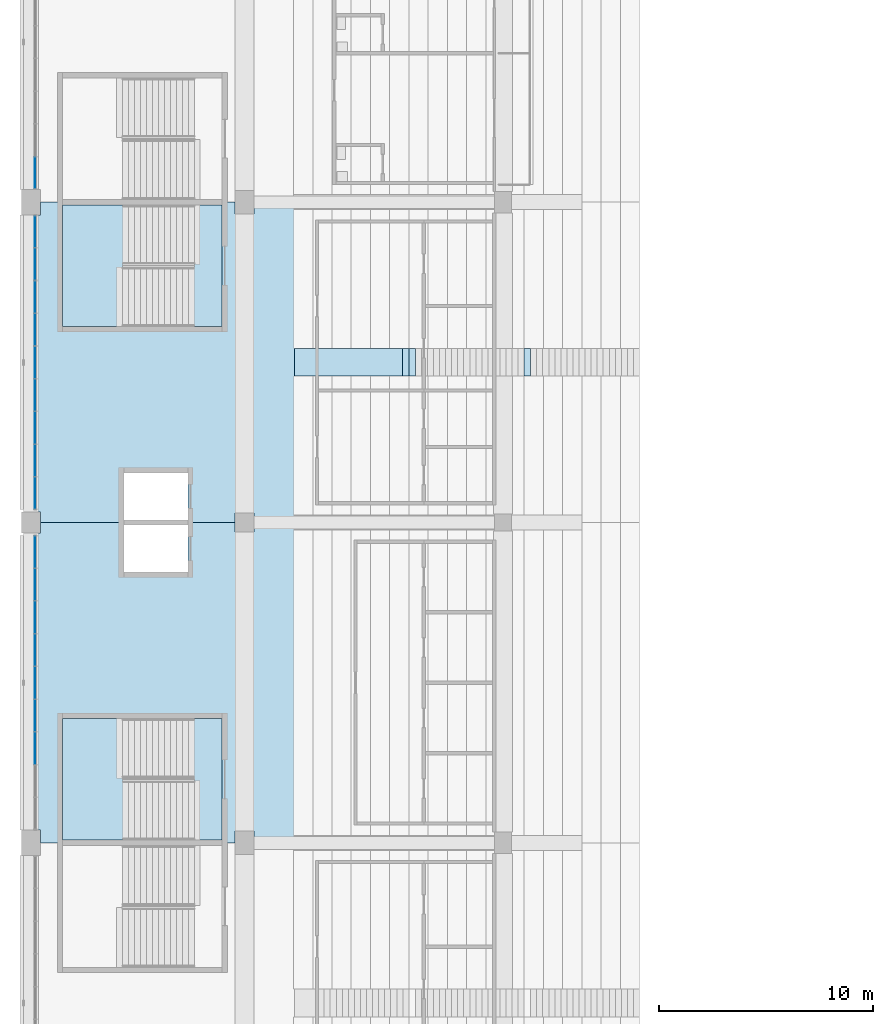
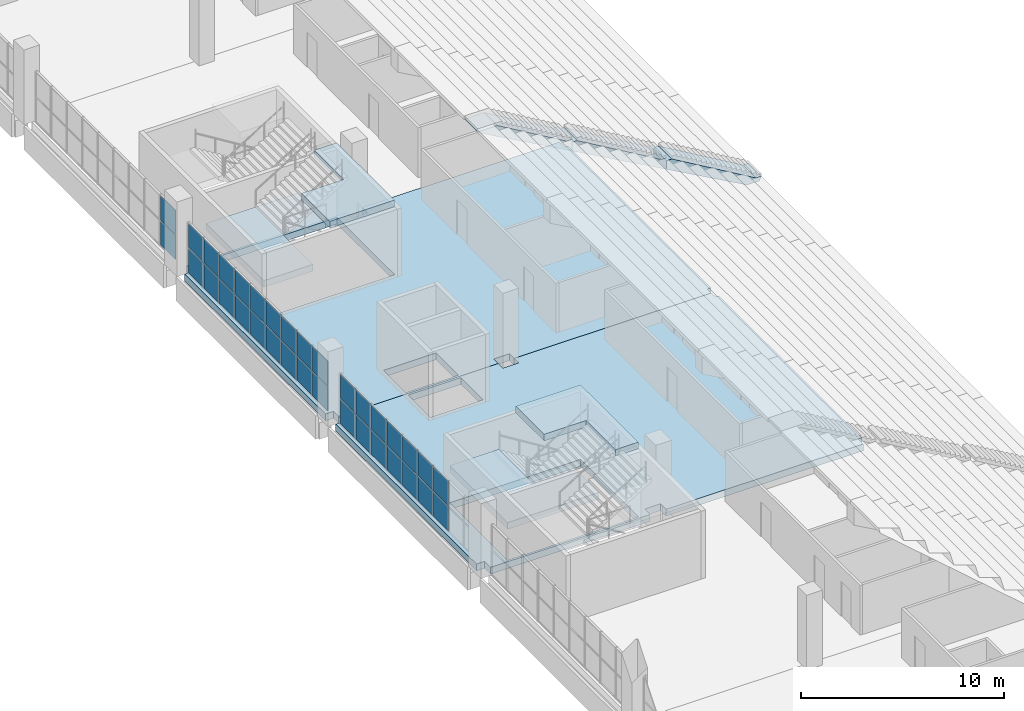
# One storey, part 69 of 249: 34 plates, 9 slabs, 5 elements without a shape of their own.
"""IFC4 building model written with IfcOpenShell, lengths in metres."""

import ifcopenshell
import ifcopenshell.guid

model = None  # the IFC model being written
_history = None  # IfcOwnerHistory: only IFC2X3 demands one
_inside = {}  # id of a spatial element -> (the spatial element, [elements in it])
_under = {}  # id of a project, library or spatial element -> (it, [spatial elements below it])
_declared = {}  # id of a project -> (the project, [libraries it declares])
_typed = {}  # id of a type object -> (the type object, [elements of that type])
_made_of = {}  # id of a material, layer set ... -> (it, [elements and type objects made of it])


def new_model(schema):
    """Start an empty IFC model of exactly this schema.

    Asked for "IFC4X3", IfcOpenShell would pick the latest addendum, in which some entities
    have other attributes; the version numbers below select the first issue.
    IFC2X3 requires an IfcOwnerHistory on every rooted entity: one is made here for all.
    """
    global model, _history
    if schema == "IFC4X3":
        model = ifcopenshell.file(schema_version=(4, 3, 0, 0))
    else:
        model = ifcopenshell.file(schema=schema)
    _inside.clear()
    _under.clear()
    _declared.clear()
    _typed.clear()
    _made_of.clear()
    _history = None
    if model.schema == "IFC2X3":
        org = make("IfcOrganization", Name="unknown")
        user = make(
            "IfcPersonAndOrganization",
            ThePerson=make("IfcPerson", FamilyName="unknown"),
            TheOrganization=org,
        )
        app = make(
            "IfcApplication",
            ApplicationDeveloper=org,
            Version="unknown",
            ApplicationFullName="unknown",
            ApplicationIdentifier="unknown",
        )
        _history = make(
            "IfcOwnerHistory",
            OwningUser=user,
            OwningApplication=app,
            ChangeAction="ADDED",
            CreationDate=0,
        )
    return model


def make(cls, **values):
    """One entity of the class cls with the attributes given. An attribute that is None is left unset."""
    return model.create_entity(
        cls, **{name: value for name, value in values.items() if value is not None}
    )


def rooted(cls, **values):
    """An entity with a GlobalId (a new one), such as an element, a storey or a relation."""
    return make(cls, GlobalId=ifcopenshell.guid.new(), OwnerHistory=_history, **values)


def si_unit(unit_type, name, prefix=None):
    """IfcSIUnit, for example si_unit("LENGTHUNIT", "METRE", prefix="MILLI")."""
    return make("IfcSIUnit", UnitType=unit_type, Prefix=prefix, Name=name)


def assignment(units):
    """IfcUnitAssignment: the units of a project."""
    return None if units is None else make("IfcUnitAssignment", Units=units)


def point(xyz):
    """IfcCartesianPoint."""
    return None if xyz is None else make("IfcCartesianPoint", Coordinates=xyz)


def direction(xyz):
    """IfcDirection."""
    return None if xyz is None else make("IfcDirection", DirectionRatios=xyz)


def frame(location, z_axis=None, x_axis=None):
    """IfcAxis2Placement3D, a coordinate frame: its origin and axes. An axis left out is left unset."""
    return make(
        "IfcAxis2Placement3D",
        Location=point(location),
        Axis=direction(z_axis),
        RefDirection=direction(x_axis),
    )


def frame_2d(location, x_axis=None):
    """IfcAxis2Placement2D, a coordinate frame in the plane: its origin and x axis."""
    return make(
        "IfcAxis2Placement2D", Location=point(location), RefDirection=direction(x_axis)
    )


def origin():
    """The frame at (0, 0, 0) with its axes left unset."""
    return frame((0.0, 0.0, 0.0))


def origin_2d():
    """The frame at (0, 0) in the plane with its x axis left unset."""
    return frame_2d((0.0, 0.0))


def place(relative_to, where):
    """IfcLocalPlacement: puts the frame where relative to a parent placement (None: the world)."""
    return make(
        "IfcLocalPlacement", PlacementRelTo=relative_to, RelativePlacement=where
    )


def context(
    kind, dimensions, precision=None, world=None, true_north=None, identifier=None
):
    """IfcGeometricRepresentationContext, for example the 3D "Model" context."""
    return make(
        "IfcGeometricRepresentationContext",
        ContextIdentifier=identifier,
        ContextType=kind,
        CoordinateSpaceDimension=dimensions,
        Precision=precision,
        WorldCoordinateSystem=world,
        TrueNorth=true_north,
    )


def subcontext(parent, identifier, kind, view, scale=None):
    """IfcGeometricRepresentationSubContext, for example "Body" below "Model"."""
    return make(
        "IfcGeometricRepresentationSubContext",
        ContextIdentifier=identifier,
        ContextType=kind,
        ParentContext=parent,
        TargetScale=scale,
        TargetView=view,
    )


def project(units=None, contexts=None):
    """IfcProject with its units and contexts."""
    return rooted(
        "IfcProject",
        Name="project",
        RepresentationContexts=contexts,
        UnitsInContext=assignment(units),
    )


def spatial(cls, under=None, at=None, **own):
    """A site, building, storey or space (cls), placed at a placement, below another one or the project."""
    s = rooted(cls, ObjectPlacement=at, **own)
    if under is not None:
        _under.setdefault(under.id(), (under, []))[1].append(s)
    return s


def polyline(points):
    """IfcPolyline through the points."""
    return make("IfcPolyline", Points=[point(p) for p in points])


def profile(cls, at=None, kind="AREA", **sizes):
    """A parametric profile (cls). Its sizes go by their IFC names, for example OverallWidth=200.0."""
    return make(cls, ProfileType=kind, Position=at, **sizes)


def rectangle(**sizes):
    """IfcRectangleProfileDef."""
    return profile("IfcRectangleProfileDef", **sizes)


def outline(outer, holes=None, kind="AREA"):
    """IfcArbitraryClosedProfileDef: a profile drawn as a closed curve; with holes, ...WithVoids."""
    if holes is None:
        return make("IfcArbitraryClosedProfileDef", ProfileType=kind, OuterCurve=outer)
    return make(
        "IfcArbitraryProfileDefWithVoids",
        ProfileType=kind,
        OuterCurve=outer,
        InnerCurves=holes,
    )


def extrude(swept, where, along, depth):
    """IfcExtrudedAreaSolid: the profile swept, set in the frame where, extruded along a direction by depth."""
    return make(
        "IfcExtrudedAreaSolid",
        SweptArea=swept,
        Position=where,
        ExtrudedDirection=direction(along),
        Depth=depth,
    )


def shape(context_of_items, identifier, shape_type, items):
    """IfcShapeRepresentation: the items that make up one representation, for example the "Body"."""
    return make(
        "IfcShapeRepresentation",
        ContextOfItems=context_of_items,
        RepresentationIdentifier=identifier,
        RepresentationType=shape_type,
        Items=items,
    )


def material(Name=None, Category=None):
    """IfcMaterial."""
    return make("IfcMaterial", Name=Name, Category=Category)


def layer(
    of_material, thickness, ventilated=None, Name=None, Category=None, Priority=None
):
    """IfcMaterialLayer: one layer of a wall or slab, of a material (None: an air gap)."""
    return make(
        "IfcMaterialLayer",
        Material=of_material,
        LayerThickness=thickness,
        IsVentilated=ventilated,
        Name=Name,
        Category=Category,
        Priority=Priority,
    )


def layer_set(layers, Name=None):
    """IfcMaterialLayerSet."""
    return make("IfcMaterialLayerSet", MaterialLayers=layers, LayerSetName=Name)


def made_of(thing, what):
    """Note that an element or type object is made of a material, layer set ...; save() writes the relation."""
    if what is not None:
        _made_of.setdefault(what.id(), (what, []))[1].append(thing)
    return thing


def type_object(cls, material=None, **own):
    """A type object (cls), such as IfcWallType, which elements share."""
    return made_of(rooted(cls, **own), material)


def element(
    cls,
    number,
    at=None,
    inside=None,
    cuts=None,
    type_object=None,
    material=None,
    context=None,
    identifier="Body",
    shape_type=None,
    held_by="IfcProductDefinitionShape",
    body=None,
    shapes=None,
    **own,
):
    """One element of the class cls, such as IfcWall. Its Tag is "e" and its number.

    at: its placement. inside: the storey or other place that contains it. cuts: it is an
    opening in that element (IfcRelVoidsElement). A single representation is given by context,
    identifier, shape_type and body (its items); several are given by shapes. held_by: the class
    of the entity that holds the representations. save() writes the other relations.
    """
    e = rooted(cls, Tag="e%d" % number, ObjectPlacement=at, **own)
    if body is not None:
        shapes = [shape(context, identifier, shape_type, body)]
    if shapes is not None:
        e.Representation = make(held_by, Representations=shapes)
    if inside is not None:
        _inside.setdefault(inside.id(), (inside, []))[1].append(e)
    if cuts is not None:
        rooted(
            "IfcRelVoidsElement", RelatingBuildingElement=cuts, RelatedOpeningElement=e
        )
    if type_object is not None:
        _typed.setdefault(type_object.id(), (type_object, []))[1].append(e)
    return made_of(e, material)


def aggregate(whole, parts):
    """IfcRelAggregates: a whole, such as a stair, and the parts it consists of."""
    return rooted("IfcRelAggregates", RelatingObject=whole, RelatedObjects=parts)


def save(model, path):
    """Write the relations noted so far, then the file.

    IfcRelAggregates (storeys below a building ...), IfcRelContainedInSpatialStructure (elements
    in a storey), IfcRelDefinesByType, IfcRelAssociatesMaterial and IfcRelDeclares: one each for
    every whole, place, type object, material and project.
    """
    for whole, parts in _under.values():
        aggregate(whole, parts)
    for where, things in _inside.values():
        rooted(
            "IfcRelContainedInSpatialStructure",
            RelatedElements=things,
            RelatingStructure=where,
        )
    for kind, things in _typed.values():
        rooted("IfcRelDefinesByType", RelatedObjects=things, RelatingType=kind)
    for what, things in _made_of.values():
        rooted("IfcRelAssociatesMaterial", RelatedObjects=things, RelatingMaterial=what)
    for by, libraries in _declared.values():
        rooted("IfcRelDeclares", RelatingContext=by, RelatedDefinitions=libraries)
    model.write(path)


model = new_model("IFC4")

# Units and contexts
model_context = context("Model", 3, precision=1e-05, world=origin(), true_north=direction((0.0, 1.0)))
body_context = subcontext(model_context, "Body", "Model", "MODEL_VIEW")
ifc_project = project(units=[si_unit("LENGTHUNIT", "METRE"), si_unit("AREAUNIT", "SQUARE_METRE"), si_unit("VOLUMEUNIT", "CUBIC_METRE"), si_unit("PLANEANGLEUNIT", "RADIAN"), si_unit("MASSUNIT", "GRAM", prefix="KILO")], contexts=[model_context])

# Site, building, storey
site_placement = place(None, origin())
site = spatial("IfcSite", under=ifc_project, at=site_placement, CompositionType="ELEMENT")
building_placement = place(site_placement, origin())
building = spatial("IfcBuilding", under=site, at=building_placement, Name="Ogive Plaza Stadium", CompositionType="ELEMENT")
storey_placement = place(building_placement, frame((0.0, 0.0, 13.5)))
storey = spatial("IfcBuildingStorey", under=building, at=storey_placement, Name="L03", CompositionType="ELEMENT", Elevation=13.5)

# Slabs
ifc_material_1 = material(Name="Concrete C40/50", Category="concrete")
ifc_layer_1 = layer(ifc_material_1, 0.73486328125)
ifc_layer_set_1 = layer_set([ifc_layer_1], Name="Concrete C40/50")
ifc_layer_2 = layer(ifc_material_1, 0.449951171875)
ifc_layer_set_2 = layer_set([ifc_layer_2], Name="Concrete C40/50")
slab_type_1 = type_object("IfcSlabType", Name="Aisle stair slab 1300", PredefinedType="USERDEFINED", material=ifc_layer_set_2)
slab_1_placement = place(storey_placement, frame((-55.5, 15.0, -13.5), z_axis=(0.0, 0.0, 1.0), x_axis=(-1.0, 0.0, 0.0)))
element("IfcSlab", 1, at=slab_1_placement, inside=storey, type_object=slab_type_1, material=ifc_layer_set_1, Name="Aisle stair SA25U slab 1", ObjectType="AISLE STAIR SLAB", PredefinedType="USERDEFINED", context=body_context, shape_type="SweptSolid", body=[
    extrude(outline(polyline([(0.0, 14.0), (0.2958984375, 14.0), (5.10009765625, 16.825927734375), (5.39990234375, 16.825927734375), (5.39990234375, 16.300048828125), (5.359375, 16.27734375), (5.209228515625, 16.194091796875), (5.059326171875, 16.110595703125), (4.9091796875, 16.02734375), (4.75927734375, 15.944091796875), (4.609375, 15.860595703125), (4.459228515625, 15.77734375), (4.309326171875, 15.694091796875), (4.1591796875, 15.610595703125), (4.00927734375, 15.52734375), (3.859375, 15.444091796875), (3.709228515625, 15.360595703125), (3.559326171875, 15.27734375), (3.4091796875, 15.194091796875), (3.25927734375, 15.110595703125), (3.109375, 15.02734375), (2.959228515625, 14.944091796875), (2.809326171875, 14.860595703125), (2.6591796875, 14.77734375), (2.50927734375, 14.694091796875), (2.359375, 14.610595703125), (2.209228515625, 14.52734375), (2.059326171875, 14.444091796875), (1.9091796875, 14.360595703125), (1.75927734375, 14.27734375), (1.609375, 14.194091796875), (1.459228515625, 14.110595703125), (1.309326171875, 14.02734375), (1.1591796875, 13.944091796875), (1.00927734375, 13.860595703125), (0.859375, 13.77734375), (0.709228515625, 13.75), (0.559326171875, 13.75), (0.4091796875, 13.75), (0.25927734375, 13.75), (0.109375, 13.75), (0.0, 14.0)])), frame((0.0, 0.64990234375, 0.0), z_axis=(0.0, -1.0, 0.0), x_axis=(1.0, 0.0, 0.0)), (0.0, 0.0, 1.0), 1.300048828125),
])
ifc_layer_3 = layer(ifc_material_1, 0.75927734375)
ifc_layer_set_3 = layer_set([ifc_layer_3], Name="Concrete C40/50")
slab_2_placement = place(storey_placement, frame((-60.89990234375, 15.0, -13.5), z_axis=(0.0, 0.0, 1.0), x_axis=(-1.0, 0.0, 0.0)))
element("IfcSlab", 2, at=slab_2_placement, inside=storey, type_object=slab_type_1, material=ifc_layer_set_3, Name="Aisle stair SA25U slab 2", ObjectType="AISLE STAIR SLAB", PredefinedType="USERDEFINED", context=body_context, shape_type="SweptSolid", body=[
    extrude(outline(polyline([(0.0, 17.0), (0.2958984375, 17.0), (5.10009765625, 19.825927734375), (5.39990234375, 19.825927734375), (5.39990234375, 19.300048828125), (5.25, 19.216796875), (5.10009765625, 19.13330078125), (4.949951171875, 19.050048828125), (4.800048828125, 18.966796875), (4.64990234375, 18.88330078125), (4.5, 18.800048828125), (4.35009765625, 18.716796875), (4.199951171875, 18.63330078125), (4.050048828125, 18.550048828125), (3.89990234375, 18.466796875), (3.75, 18.38330078125), (3.60009765625, 18.300048828125), (3.449951171875, 18.216796875), (3.300048828125, 18.13330078125), (3.14990234375, 18.050048828125), (3.0, 17.966796875), (2.85009765625, 17.88330078125), (2.699951171875, 17.800048828125), (2.550048828125, 17.716796875), (2.39990234375, 17.63330078125), (2.25, 17.550048828125), (2.10009765625, 17.466796875), (1.949951171875, 17.38330078125), (1.800048828125, 17.300048828125), (1.64990234375, 17.216796875), (1.5, 17.13330078125), (1.35009765625, 17.050048828125), (1.199951171875, 16.966796875), (1.050048828125, 16.88330078125), (0.89990234375, 16.800048828125), (0.75, 16.716796875), (0.60009765625, 16.63330078125), (0.449951171875, 16.550048828125), (0.300048828125, 16.466796875), (0.14990234375, 16.38330078125), (0.0, 16.300048828125), (0.0, 17.0)])), frame((0.0, 0.64990234375, 0.0), z_axis=(0.0, -1.0, 0.0), x_axis=(1.0, 0.0, 0.0)), (0.0, 0.0, 1.0), 1.300048828125),
])
ifc_layer_4 = layer(ifc_material_1, 1.08056640625)
ifc_layer_set_4 = layer_set([ifc_layer_4], Name="Concrete C40/50")
slab_3_placement = place(storey_placement, frame((-66.300048828125, 15.0, -13.5), z_axis=(0.0, 0.0, 1.0), x_axis=(-1.0, 0.0, 0.0)))
element("IfcSlab", 3, at=slab_3_placement, inside=storey, type_object=slab_type_1, material=ifc_layer_set_4, Name="Aisle stair SA25U slab 3", ObjectType="AISLE STAIR SLAB", PredefinedType="USERDEFINED", context=body_context, shape_type="SweptSolid", body=[
    extrude(outline(polyline([(0.0, 20.0), (0.2958984375, 20.0), (4.25, 22.325927734375), (5.35009765625, 22.325927734375), (5.35009765625, 22.272216796875), (5.25, 22.216796875), (5.10009765625, 22.13330078125), (4.949951171875, 22.050048828125), (4.800048828125, 21.966796875), (4.64990234375, 21.88330078125), (4.5, 21.800048828125), (4.35009765625, 21.716796875), (4.199951171875, 21.63330078125), (4.050048828125, 21.550048828125), (3.89990234375, 21.466796875), (3.75, 21.38330078125), (3.60009765625, 21.300048828125), (3.449951171875, 21.216796875), (3.300048828125, 21.13330078125), (3.14990234375, 21.050048828125), (3.0, 20.966796875), (2.85009765625, 20.88330078125), (2.699951171875, 20.800048828125), (2.550048828125, 20.716796875), (2.39990234375, 20.63330078125), (2.25, 20.550048828125), (2.10009765625, 20.466796875), (1.949951171875, 20.38330078125), (1.800048828125, 20.300048828125), (1.64990234375, 20.216796875), (1.5, 20.13330078125), (1.35009765625, 20.050048828125), (1.199951171875, 19.966796875), (1.050048828125, 19.88330078125), (0.89990234375, 19.800048828125), (0.75, 19.716796875), (0.60009765625, 19.63330078125), (0.449951171875, 19.550048828125), (0.300048828125, 19.466796875), (0.14990234375, 19.38330078125), (0.0, 19.300048828125), (0.0, 20.0)])), frame((0.0, 0.64990234375, 0.0), z_axis=(0.0, -1.0, 0.0), x_axis=(1.0, 0.0, 0.0)), (0.0, 0.0, 1.0), 1.300048828125),
])

# Curtain wall, plates
ifc_material_2 = material(Name="Bronze-anodised aluminium with laminated glass", Category="aluminium")
curtain_wall_type = type_object("IfcCurtainWallType", Name="Lancet curtain wall", PredefinedType="NOTDEFINED", material=ifc_material_2)
curtain_wall_1_placement = place(storey_placement, origin())
curtain_wall_1 = element("IfcCurtainWall", 4, at=curtain_wall_1_placement, inside=storey, type_object=curtain_wall_type, Name="CURTAIN WALL B24 L03", PredefinedType="NOTDEFINED")
ifc_material_3 = material(Name="Laminated glass", Category="glass")
ifc_layer_5 = layer(ifc_material_3, 0.028076171875)
ifc_layer_set_5 = layer_set([ifc_layer_5], Name="Laminated glass panel 28")
plate_type = type_object("IfcPlateType", Name="Laminated glass panel 28", PredefinedType="CURTAIN_PANEL", material=ifc_layer_set_5)
plate_1_placement = place(storey_placement, frame((-83.800048828125, -3.066650390625, 0.0498046875), z_axis=(0.0, 0.0, 1.0), x_axis=(0.0, 1.0, 0.0)))
plate_1 = element("IfcPlate", 5, at=plate_1_placement, type_object=plate_type, Name="CW-B24-L03 panel 3.1", PredefinedType="CURTAIN_PANEL", context=body_context, shape_type="SweptSolid", body=[
    extrude(rectangle(XDim=1.4833984375, YDim=0.028076171875, at=origin_2d()), origin(), (0.0, 0.0, 1.0), 1.469970703125),
])
plate_2_placement = place(storey_placement, frame((-83.800048828125, -3.066650390625, 1.56982421875), z_axis=(0.0, 0.0, 1.0), x_axis=(0.0, 1.0, 0.0)))
plate_2 = element("IfcPlate", 6, at=plate_2_placement, type_object=plate_type, Name="CW-B24-L03 panel 3.2", PredefinedType="CURTAIN_PANEL", context=body_context, shape_type="SweptSolid", body=[
    extrude(rectangle(XDim=1.4833984375, YDim=0.028076171875, at=origin_2d()), origin(), (0.0, 0.0, 1.0), 1.469970703125),
])
plate_3_placement = place(storey_placement, frame((-83.800048828125, -1.533447265625, 0.0498046875), z_axis=(0.0, 0.0, 1.0), x_axis=(0.0, 1.0, 0.0)))
plate_3 = element("IfcPlate", 7, at=plate_3_placement, type_object=plate_type, Name="CW-B24-L03 panel 4.1", PredefinedType="CURTAIN_PANEL", context=body_context, shape_type="SweptSolid", body=[
    extrude(rectangle(XDim=1.4833984375, YDim=0.028076171875, at=origin_2d()), origin(), (0.0, 0.0, 1.0), 1.469970703125),
])
plate_4_placement = place(storey_placement, frame((-83.800048828125, -1.533447265625, 1.56982421875), z_axis=(0.0, 0.0, 1.0), x_axis=(0.0, 1.0, 0.0)))
plate_4 = element("IfcPlate", 8, at=plate_4_placement, type_object=plate_type, Name="CW-B24-L03 panel 4.2", PredefinedType="CURTAIN_PANEL", context=body_context, shape_type="SweptSolid", body=[
    extrude(rectangle(XDim=1.4833984375, YDim=0.028076171875, at=origin_2d()), origin(), (0.0, 0.0, 1.0), 1.469970703125),
])
plate_5_placement = place(storey_placement, frame((-83.800048828125, 0.0, 0.0498046875), z_axis=(0.0, 0.0, 1.0), x_axis=(0.0, 1.0, 0.0)))
plate_5 = element("IfcPlate", 9, at=plate_5_placement, type_object=plate_type, Name="CW-B24-L03 panel 5.1", PredefinedType="CURTAIN_PANEL", context=body_context, shape_type="SweptSolid", body=[
    extrude(rectangle(XDim=1.4833984375, YDim=0.028076171875, at=origin_2d()), origin(), (0.0, 0.0, 1.0), 1.469970703125),
])
plate_6_placement = place(storey_placement, frame((-83.800048828125, 0.0, 1.56982421875), z_axis=(0.0, 0.0, 1.0), x_axis=(0.0, 1.0, 0.0)))
plate_6 = element("IfcPlate", 10, at=plate_6_placement, type_object=plate_type, Name="CW-B24-L03 panel 5.2", PredefinedType="CURTAIN_PANEL", context=body_context, shape_type="SweptSolid", body=[
    extrude(rectangle(XDim=1.4833984375, YDim=0.028076171875, at=origin_2d()), origin(), (0.0, 0.0, 1.0), 1.469970703125),
])
plate_7_placement = place(storey_placement, frame((-83.800048828125, 1.533447265625, 0.0498046875), z_axis=(0.0, 0.0, 1.0), x_axis=(0.0, 1.0, 0.0)))
plate_7 = element("IfcPlate", 11, at=plate_7_placement, type_object=plate_type, Name="CW-B24-L03 panel 6.1", PredefinedType="CURTAIN_PANEL", context=body_context, shape_type="SweptSolid", body=[
    extrude(rectangle(XDim=1.4833984375, YDim=0.028076171875, at=origin_2d()), origin(), (0.0, 0.0, 1.0), 1.469970703125),
])
plate_8_placement = place(storey_placement, frame((-83.800048828125, 1.533447265625, 1.56982421875), z_axis=(0.0, 0.0, 1.0), x_axis=(0.0, 1.0, 0.0)))
plate_8 = element("IfcPlate", 12, at=plate_8_placement, type_object=plate_type, Name="CW-B24-L03 panel 6.2", PredefinedType="CURTAIN_PANEL", context=body_context, shape_type="SweptSolid", body=[
    extrude(rectangle(XDim=1.4833984375, YDim=0.028076171875, at=origin_2d()), origin(), (0.0, 0.0, 1.0), 1.469970703125),
])
plate_9_placement = place(storey_placement, frame((-83.800048828125, 3.066650390625, 0.0498046875), z_axis=(0.0, 0.0, 1.0), x_axis=(0.0, 1.0, 0.0)))
plate_9 = element("IfcPlate", 13, at=plate_9_placement, type_object=plate_type, Name="CW-B24-L03 panel 7.1", PredefinedType="CURTAIN_PANEL", context=body_context, shape_type="SweptSolid", body=[
    extrude(rectangle(XDim=1.4833984375, YDim=0.028076171875, at=origin_2d()), origin(), (0.0, 0.0, 1.0), 1.469970703125),
])
plate_10_placement = place(storey_placement, frame((-83.800048828125, 3.066650390625, 1.56982421875), z_axis=(0.0, 0.0, 1.0), x_axis=(0.0, 1.0, 0.0)))
plate_10 = element("IfcPlate", 14, at=plate_10_placement, type_object=plate_type, Name="CW-B24-L03 panel 7.2", PredefinedType="CURTAIN_PANEL", context=body_context, shape_type="SweptSolid", body=[
    extrude(rectangle(XDim=1.4833984375, YDim=0.028076171875, at=origin_2d()), origin(), (0.0, 0.0, 1.0), 1.469970703125),
])
plate_11_placement = place(storey_placement, frame((-83.800048828125, 4.60009765625, 0.0498046875), z_axis=(0.0, 0.0, 1.0), x_axis=(0.0, 1.0, 0.0)))
plate_11 = element("IfcPlate", 15, at=plate_11_placement, type_object=plate_type, Name="CW-B24-L03 panel 8.1", PredefinedType="CURTAIN_PANEL", context=body_context, shape_type="SweptSolid", body=[
    extrude(rectangle(XDim=1.4833984375, YDim=0.028076171875, at=origin_2d()), origin(), (0.0, 0.0, 1.0), 1.469970703125),
])
plate_12_placement = place(storey_placement, frame((-83.800048828125, 4.60009765625, 1.56982421875), z_axis=(0.0, 0.0, 1.0), x_axis=(0.0, 1.0, 0.0)))
plate_12 = element("IfcPlate", 16, at=plate_12_placement, type_object=plate_type, Name="CW-B24-L03 panel 8.2", PredefinedType="CURTAIN_PANEL", context=body_context, shape_type="SweptSolid", body=[
    extrude(rectangle(XDim=1.4833984375, YDim=0.028076171875, at=origin_2d()), origin(), (0.0, 0.0, 1.0), 1.469970703125),
])
plate_13_placement = place(storey_placement, frame((-83.800048828125, 6.120849609375, 0.0498046875), z_axis=(0.0, 0.0, 1.0), x_axis=(0.0, 1.0, 0.0)))
plate_13 = element("IfcPlate", 17, at=plate_13_placement, type_object=plate_type, Name="CW-B24-L03 panel 9.1", PredefinedType="CURTAIN_PANEL", context=body_context, shape_type="SweptSolid", body=[
    extrude(rectangle(XDim=1.458251953125, YDim=0.028076171875, at=origin_2d()), origin(), (0.0, 0.0, 1.0), 1.469970703125),
])
plate_14_placement = place(storey_placement, frame((-83.800048828125, 6.120849609375, 1.56982421875), z_axis=(0.0, 0.0, 1.0), x_axis=(0.0, 1.0, 0.0)))
plate_14 = element("IfcPlate", 18, at=plate_14_placement, type_object=plate_type, Name="CW-B24-L03 panel 9.2", PredefinedType="CURTAIN_PANEL", context=body_context, shape_type="SweptSolid", body=[
    extrude(rectangle(XDim=1.458251953125, YDim=0.028076171875, at=origin_2d()), origin(), (0.0, 0.0, 1.0), 1.469970703125),
])
aggregate(curtain_wall_1, [plate_1, plate_2, plate_3, plate_4, plate_5, plate_6, plate_7, plate_8, plate_9, plate_10, plate_11, plate_12, plate_13, plate_14])

curtain_wall_2_placement = place(storey_placement, origin())
curtain_wall_2 = element("IfcCurtainWall", 19, at=curtain_wall_2_placement, inside=storey, type_object=curtain_wall_type, Name="CURTAIN WALL B25 L03", PredefinedType="NOTDEFINED")
plate_15_placement = place(storey_placement, frame((-83.800048828125, 8.879150390625, 0.0498046875), z_axis=(0.0, 0.0, 1.0), x_axis=(0.0, 1.0, 0.0)))
plate_15 = element("IfcPlate", 20, at=plate_15_placement, type_object=plate_type, Name="CW-B25-L03 panel 1.1", PredefinedType="CURTAIN_PANEL", context=body_context, shape_type="SweptSolid", body=[
    extrude(rectangle(XDim=1.458251953125, YDim=0.028076171875, at=origin_2d()), origin(), (0.0, 0.0, 1.0), 1.469970703125),
])
plate_16_placement = place(storey_placement, frame((-83.800048828125, 8.879150390625, 1.56982421875), z_axis=(0.0, 0.0, 1.0), x_axis=(0.0, 1.0, 0.0)))
plate_16 = element("IfcPlate", 21, at=plate_16_placement, type_object=plate_type, Name="CW-B25-L03 panel 1.2", PredefinedType="CURTAIN_PANEL", context=body_context, shape_type="SweptSolid", body=[
    extrude(rectangle(XDim=1.458251953125, YDim=0.028076171875, at=origin_2d()), origin(), (0.0, 0.0, 1.0), 1.469970703125),
])
plate_17_placement = place(storey_placement, frame((-83.800048828125, 10.39990234375, 0.0498046875), z_axis=(0.0, 0.0, 1.0), x_axis=(0.0, 1.0, 0.0)))
plate_17 = element("IfcPlate", 22, at=plate_17_placement, type_object=plate_type, Name="CW-B25-L03 panel 2.1", PredefinedType="CURTAIN_PANEL", context=body_context, shape_type="SweptSolid", body=[
    extrude(rectangle(XDim=1.4833984375, YDim=0.028076171875, at=origin_2d()), origin(), (0.0, 0.0, 1.0), 1.469970703125),
])
plate_18_placement = place(storey_placement, frame((-83.800048828125, 10.39990234375, 1.56982421875), z_axis=(0.0, 0.0, 1.0), x_axis=(0.0, 1.0, 0.0)))
plate_18 = element("IfcPlate", 23, at=plate_18_placement, type_object=plate_type, Name="CW-B25-L03 panel 2.2", PredefinedType="CURTAIN_PANEL", context=body_context, shape_type="SweptSolid", body=[
    extrude(rectangle(XDim=1.4833984375, YDim=0.028076171875, at=origin_2d()), origin(), (0.0, 0.0, 1.0), 1.469970703125),
])
plate_19_placement = place(storey_placement, frame((-83.800048828125, 11.933349609375, 0.0498046875), z_axis=(0.0, 0.0, 1.0), x_axis=(0.0, 1.0, 0.0)))
plate_19 = element("IfcPlate", 24, at=plate_19_placement, type_object=plate_type, Name="CW-B25-L03 panel 3.1", PredefinedType="CURTAIN_PANEL", context=body_context, shape_type="SweptSolid", body=[
    extrude(rectangle(XDim=1.4833984375, YDim=0.028076171875, at=origin_2d()), origin(), (0.0, 0.0, 1.0), 1.469970703125),
])
plate_20_placement = place(storey_placement, frame((-83.800048828125, 11.933349609375, 1.56982421875), z_axis=(0.0, 0.0, 1.0), x_axis=(0.0, 1.0, 0.0)))
plate_20 = element("IfcPlate", 25, at=plate_20_placement, type_object=plate_type, Name="CW-B25-L03 panel 3.2", PredefinedType="CURTAIN_PANEL", context=body_context, shape_type="SweptSolid", body=[
    extrude(rectangle(XDim=1.4833984375, YDim=0.028076171875, at=origin_2d()), origin(), (0.0, 0.0, 1.0), 1.469970703125),
])
plate_21_placement = place(storey_placement, frame((-83.800048828125, 13.466552734375, 0.0498046875), z_axis=(0.0, 0.0, 1.0), x_axis=(0.0, 1.0, 0.0)))
plate_21 = element("IfcPlate", 26, at=plate_21_placement, type_object=plate_type, Name="CW-B25-L03 panel 4.1", PredefinedType="CURTAIN_PANEL", context=body_context, shape_type="SweptSolid", body=[
    extrude(rectangle(XDim=1.4833984375, YDim=0.028076171875, at=origin_2d()), origin(), (0.0, 0.0, 1.0), 1.469970703125),
])
plate_22_placement = place(storey_placement, frame((-83.800048828125, 13.466552734375, 1.56982421875), z_axis=(0.0, 0.0, 1.0), x_axis=(0.0, 1.0, 0.0)))
plate_22 = element("IfcPlate", 27, at=plate_22_placement, type_object=plate_type, Name="CW-B25-L03 panel 4.2", PredefinedType="CURTAIN_PANEL", context=body_context, shape_type="SweptSolid", body=[
    extrude(rectangle(XDim=1.4833984375, YDim=0.028076171875, at=origin_2d()), origin(), (0.0, 0.0, 1.0), 1.469970703125),
])
plate_23_placement = place(storey_placement, frame((-83.800048828125, 15.0, 0.0498046875), z_axis=(0.0, 0.0, 1.0), x_axis=(0.0, 1.0, 0.0)))
plate_23 = element("IfcPlate", 28, at=plate_23_placement, type_object=plate_type, Name="CW-B25-L03 panel 5.1", PredefinedType="CURTAIN_PANEL", context=body_context, shape_type="SweptSolid", body=[
    extrude(rectangle(XDim=1.4833984375, YDim=0.028076171875, at=origin_2d()), origin(), (0.0, 0.0, 1.0), 1.469970703125),
])
plate_24_placement = place(storey_placement, frame((-83.800048828125, 15.0, 1.56982421875), z_axis=(0.0, 0.0, 1.0), x_axis=(0.0, 1.0, 0.0)))
plate_24 = element("IfcPlate", 29, at=plate_24_placement, type_object=plate_type, Name="CW-B25-L03 panel 5.2", PredefinedType="CURTAIN_PANEL", context=body_context, shape_type="SweptSolid", body=[
    extrude(rectangle(XDim=1.4833984375, YDim=0.028076171875, at=origin_2d()), origin(), (0.0, 0.0, 1.0), 1.469970703125),
])
plate_25_placement = place(storey_placement, frame((-83.800048828125, 16.533447265625, 0.0498046875), z_axis=(0.0, 0.0, 1.0), x_axis=(0.0, 1.0, 0.0)))
plate_25 = element("IfcPlate", 30, at=plate_25_placement, type_object=plate_type, Name="CW-B25-L03 panel 6.1", PredefinedType="CURTAIN_PANEL", context=body_context, shape_type="SweptSolid", body=[
    extrude(rectangle(XDim=1.4833984375, YDim=0.028076171875, at=origin_2d()), origin(), (0.0, 0.0, 1.0), 1.469970703125),
])
plate_26_placement = place(storey_placement, frame((-83.800048828125, 16.533447265625, 1.56982421875), z_axis=(0.0, 0.0, 1.0), x_axis=(0.0, 1.0, 0.0)))
plate_26 = element("IfcPlate", 31, at=plate_26_placement, type_object=plate_type, Name="CW-B25-L03 panel 6.2", PredefinedType="CURTAIN_PANEL", context=body_context, shape_type="SweptSolid", body=[
    extrude(rectangle(XDim=1.4833984375, YDim=0.028076171875, at=origin_2d()), origin(), (0.0, 0.0, 1.0), 1.469970703125),
])
plate_27_placement = place(storey_placement, frame((-83.800048828125, 18.066650390625, 0.0498046875), z_axis=(0.0, 0.0, 1.0), x_axis=(0.0, 1.0, 0.0)))
plate_27 = element("IfcPlate", 32, at=plate_27_placement, type_object=plate_type, Name="CW-B25-L03 panel 7.1", PredefinedType="CURTAIN_PANEL", context=body_context, shape_type="SweptSolid", body=[
    extrude(rectangle(XDim=1.4833984375, YDim=0.028076171875, at=origin_2d()), origin(), (0.0, 0.0, 1.0), 1.469970703125),
])
plate_28_placement = place(storey_placement, frame((-83.800048828125, 18.066650390625, 1.56982421875), z_axis=(0.0, 0.0, 1.0), x_axis=(0.0, 1.0, 0.0)))
plate_28 = element("IfcPlate", 33, at=plate_28_placement, type_object=plate_type, Name="CW-B25-L03 panel 7.2", PredefinedType="CURTAIN_PANEL", context=body_context, shape_type="SweptSolid", body=[
    extrude(rectangle(XDim=1.4833984375, YDim=0.028076171875, at=origin_2d()), origin(), (0.0, 0.0, 1.0), 1.469970703125),
])
plate_29_placement = place(storey_placement, frame((-83.800048828125, 19.60009765625, 0.0498046875), z_axis=(0.0, 0.0, 1.0), x_axis=(0.0, 1.0, 0.0)))
plate_29 = element("IfcPlate", 34, at=plate_29_placement, type_object=plate_type, Name="CW-B25-L03 panel 8.1", PredefinedType="CURTAIN_PANEL", context=body_context, shape_type="SweptSolid", body=[
    extrude(rectangle(XDim=1.4833984375, YDim=0.028076171875, at=origin_2d()), origin(), (0.0, 0.0, 1.0), 1.469970703125),
])
plate_30_placement = place(storey_placement, frame((-83.800048828125, 19.60009765625, 1.56982421875), z_axis=(0.0, 0.0, 1.0), x_axis=(0.0, 1.0, 0.0)))
plate_30 = element("IfcPlate", 35, at=plate_30_placement, type_object=plate_type, Name="CW-B25-L03 panel 8.2", PredefinedType="CURTAIN_PANEL", context=body_context, shape_type="SweptSolid", body=[
    extrude(rectangle(XDim=1.4833984375, YDim=0.028076171875, at=origin_2d()), origin(), (0.0, 0.0, 1.0), 1.469970703125),
])
plate_31_placement = place(storey_placement, frame((-83.800048828125, 21.120849609375, 0.0498046875), z_axis=(0.0, 0.0, 1.0), x_axis=(0.0, 1.0, 0.0)))
plate_31 = element("IfcPlate", 36, at=plate_31_placement, type_object=plate_type, Name="CW-B25-L03 panel 9.1", PredefinedType="CURTAIN_PANEL", context=body_context, shape_type="SweptSolid", body=[
    extrude(rectangle(XDim=1.458251953125, YDim=0.028076171875, at=origin_2d()), origin(), (0.0, 0.0, 1.0), 1.469970703125),
])
plate_32_placement = place(storey_placement, frame((-83.800048828125, 21.120849609375, 1.56982421875), z_axis=(0.0, 0.0, 1.0), x_axis=(0.0, 1.0, 0.0)))
plate_32 = element("IfcPlate", 37, at=plate_32_placement, type_object=plate_type, Name="CW-B25-L03 panel 9.2", PredefinedType="CURTAIN_PANEL", context=body_context, shape_type="SweptSolid", body=[
    extrude(rectangle(XDim=1.458251953125, YDim=0.028076171875, at=origin_2d()), origin(), (0.0, 0.0, 1.0), 1.469970703125),
])
aggregate(curtain_wall_2, [plate_15, plate_16, plate_17, plate_18, plate_19, plate_20, plate_21, plate_22, plate_23, plate_24, plate_25, plate_26, plate_27, plate_28, plate_29, plate_30, plate_31, plate_32])

curtain_wall_3_placement = place(storey_placement, origin())
curtain_wall_3 = element("IfcCurtainWall", 38, at=curtain_wall_3_placement, inside=storey, type_object=curtain_wall_type, Name="CURTAIN WALL B26 L03", PredefinedType="NOTDEFINED")
plate_33_placement = place(storey_placement, frame((-83.800048828125, 23.879150390625, 0.0498046875), z_axis=(0.0, 0.0, 1.0), x_axis=(0.0, 1.0, 0.0)))
plate_33 = element("IfcPlate", 39, at=plate_33_placement, type_object=plate_type, Name="CW-B26-L03 panel 1.1", PredefinedType="CURTAIN_PANEL", context=body_context, shape_type="SweptSolid", body=[
    extrude(rectangle(XDim=1.458251953125, YDim=0.028076171875, at=origin_2d()), origin(), (0.0, 0.0, 1.0), 1.469970703125),
])
plate_34_placement = place(storey_placement, frame((-83.800048828125, 23.879150390625, 1.56982421875), z_axis=(0.0, 0.0, 1.0), x_axis=(0.0, 1.0, 0.0)))
plate_34 = element("IfcPlate", 40, at=plate_34_placement, type_object=plate_type, Name="CW-B26-L03 panel 1.2", PredefinedType="CURTAIN_PANEL", context=body_context, shape_type="SweptSolid", body=[
    extrude(rectangle(XDim=1.458251953125, YDim=0.028076171875, at=origin_2d()), origin(), (0.0, 0.0, 1.0), 1.469970703125),
])
aggregate(curtain_wall_3, [plate_33, plate_34])

# Slabs
ifc_material_4 = material(Name="Concrete C40/50", Category="concrete")
ifc_layer_6 = layer(ifc_material_4, 0.409912109375)
ifc_layer_set_6 = layer_set([ifc_layer_6], Name="Concrete C40/50")
slab_type_2 = type_object("IfcSlabType", Name="RC floor slab 410", PredefinedType="FLOOR", material=ifc_layer_set_6)
slab_4_placement = place(storey_placement, frame((0.0, 0.0, -0.409912109375)))
element("IfcSlab", 41, at=slab_4_placement, inside=storey, type_object=slab_type_2, Name="Floor slab L03 B24", PredefinedType="FLOOR", context=body_context, shape_type="SweptSolid", body=[
    extrude(outline(polyline([(-73.550048828125, 7.5), (-73.550048828125, 7.050048828125), (-74.449951171875, 7.050048828125), (-74.449951171875, 7.5), (-83.550048828125, 7.5), (-83.550048828125, 7.0), (-84.0, 7.0), (-84.0, -6.89990234375), (-83.550048828125, -6.89990234375), (-83.550048828125, -7.5), (-74.449951171875, -7.5), (-74.449951171875, -6.949951171875), (-73.550048828125, -6.949951171875), (-73.550048828125, -7.5), (-62.300048828125, -7.5), (-62.300048828125, -7.0), (-62.10009765625, -7.0), (-62.10009765625, 7.10009765625), (-62.300048828125, 7.10009765625), (-62.300048828125, 7.5), (-73.550048828125, 7.5)]), holes=[polyline([(-75.050048828125, -7.375), (-75.050048828125, -1.675048828125), (-82.510009765625, -1.675048828125), (-82.510009765625, -7.375), (-75.050048828125, -7.375)]), polyline([(-76.64990234375, 5.175048828125), (-76.64990234375, 7.375), (-79.64990234375, 7.375), (-79.64990234375, 5.175048828125), (-76.64990234375, 5.175048828125)])]), origin(), (0.0, 0.0, 1.0), 0.409912109375),
])
slab_5_placement = place(storey_placement, frame((0.0, 0.0, -0.409912109375)))
element("IfcSlab", 42, at=slab_5_placement, inside=storey, type_object=slab_type_2, Name="Floor slab L03 B25", PredefinedType="FLOOR", context=body_context, shape_type="SweptSolid", body=[
    extrude(outline(polyline([(-73.550048828125, 22.5), (-73.550048828125, 21.949951171875), (-74.449951171875, 21.949951171875), (-74.449951171875, 22.5), (-83.550048828125, 22.5), (-83.550048828125, 21.89990234375), (-84.0, 21.89990234375), (-84.0, 8.0), (-83.550048828125, 8.0), (-83.550048828125, 7.5), (-74.449951171875, 7.5), (-74.449951171875, 7.949951171875), (-73.550048828125, 7.949951171875), (-73.550048828125, 7.5), (-62.300048828125, 7.5), (-62.300048828125, 7.89990234375), (-62.10009765625, 7.89990234375), (-62.10009765625, 22.0), (-62.300048828125, 22.0), (-62.300048828125, 22.5), (-73.550048828125, 22.5)]), holes=[polyline([(-76.64990234375, 7.625), (-76.64990234375, 9.824951171875), (-79.64990234375, 9.824951171875), (-79.64990234375, 7.625), (-76.64990234375, 7.625)]), polyline([(-75.050048828125, 16.675048828125), (-75.050048828125, 22.375), (-82.510009765625, 22.375), (-82.510009765625, 16.675048828125), (-75.050048828125, 16.675048828125)])]), origin(), (0.0, 0.0, 1.0), 0.409912109375),
])

# Stair, slabs
ifc_material_5 = material(Name="Concrete C40/50", Category="concrete")
stair_type = type_object("IfcStairType", Name="Exit stair", PredefinedType="STRAIGHT_RUN_STAIR", material=ifc_material_5)
stair_1_placement = place(storey_placement, origin())
stair_1 = element("IfcStair", 43, at=stair_1_placement, inside=storey, type_object=stair_type, Name="Exit stair ST24A L03 to L04", PredefinedType="STRAIGHT_RUN_STAIR")
ifc_material_6 = material(Name="Concrete C40/50", Category="concrete")
ifc_layer_7 = layer(ifc_material_6, 0.39990234375)
ifc_layer_set_7 = layer_set([ifc_layer_7], Name="Concrete C40/50")
slab_type_3 = type_object("IfcSlabType", Name="Stair landing", PredefinedType="LANDING", material=ifc_layer_set_7)
slab_6_placement = place(storey_placement, frame((0.0, 0.0, 1.85009765625)))
slab_6 = element("IfcSlab", 44, at=slab_6_placement, type_object=slab_type_3, Name="ST24A landing 1", PredefinedType="LANDING", context=body_context, shape_type="SweptSolid", body=[
    extrude(outline(polyline([(-82.510009765625, -7.375), (-82.510009765625, -1.675048828125), (-79.7099609375, -1.675048828125), (-79.7099609375, -4.574951171875), (-77.31005859375, -4.574951171875), (-77.31005859375, -7.375), (-79.7099609375, -7.375), (-82.510009765625, -7.375)])), origin(), (0.0, 0.0, 1.0), 0.39990234375),
])
slab_7_placement = place(storey_placement, frame((0.0, 0.0, 4.10009765625)))
slab_7 = element("IfcSlab", 45, at=slab_7_placement, type_object=slab_type_3, Name="ST24A landing 2", PredefinedType="LANDING", context=body_context, shape_type="SweptSolid", body=[
    extrude(outline(polyline([(-78.75, -4.47509765625), (-78.75, -1.675048828125), (-76.35009765625, -1.675048828125), (-75.050048828125, -1.675048828125), (-75.050048828125, -7.375), (-76.35009765625, -7.375), (-76.35009765625, -4.47509765625), (-78.75, -4.47509765625)])), origin(), (0.0, 0.0, 1.0), 0.39990234375),
])
aggregate(stair_1, [slab_6, slab_7])

stair_2_placement = place(storey_placement, origin())
stair_2 = element("IfcStair", 46, at=stair_2_placement, inside=storey, type_object=stair_type, Name="Exit stair ST26B L03 to L04", PredefinedType="STRAIGHT_RUN_STAIR")
slab_8_placement = place(storey_placement, frame((0.0, 0.0, 1.85009765625)))
slab_8 = element("IfcSlab", 47, at=slab_8_placement, type_object=slab_type_3, Name="ST26B landing 1", PredefinedType="LANDING", context=body_context, shape_type="SweptSolid", body=[
    extrude(outline(polyline([(-77.31005859375, 22.375), (-77.31005859375, 19.574951171875), (-79.7099609375, 19.574951171875), (-79.7099609375, 16.675048828125), (-82.510009765625, 16.675048828125), (-82.510009765625, 22.375), (-79.7099609375, 22.375), (-77.31005859375, 22.375)])), origin(), (0.0, 0.0, 1.0), 0.39990234375),
])
slab_9_placement = place(storey_placement, frame((0.0, 0.0, 4.10009765625)))
slab_9 = element("IfcSlab", 48, at=slab_9_placement, type_object=slab_type_3, Name="ST26B landing 2", PredefinedType="LANDING", context=body_context, shape_type="SweptSolid", body=[
    extrude(outline(polyline([(-76.35009765625, 22.375), (-75.050048828125, 22.375), (-75.050048828125, 16.675048828125), (-76.35009765625, 16.675048828125), (-78.75, 16.675048828125), (-78.75, 19.47509765625), (-76.35009765625, 19.47509765625), (-76.35009765625, 22.375)])), origin(), (0.0, 0.0, 1.0), 0.39990234375),
])
aggregate(stair_2, [slab_8, slab_9])

save(model, "model.ifc")
